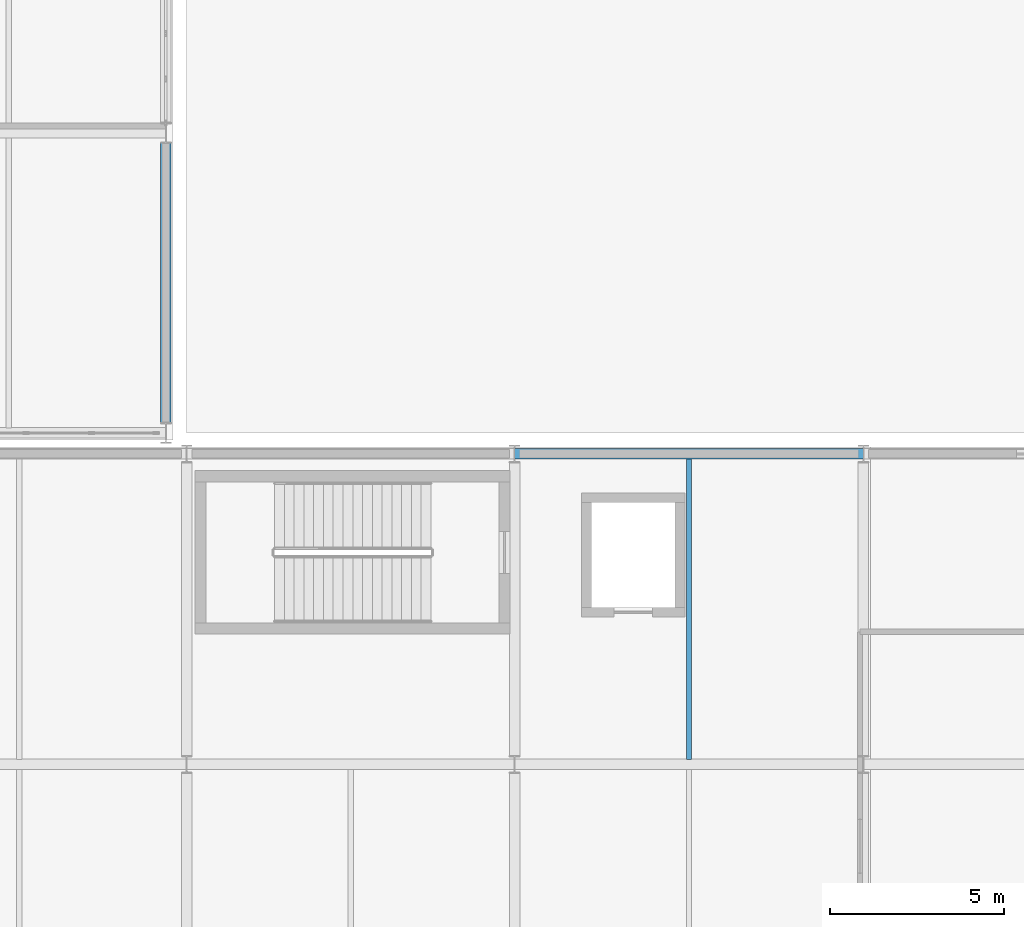
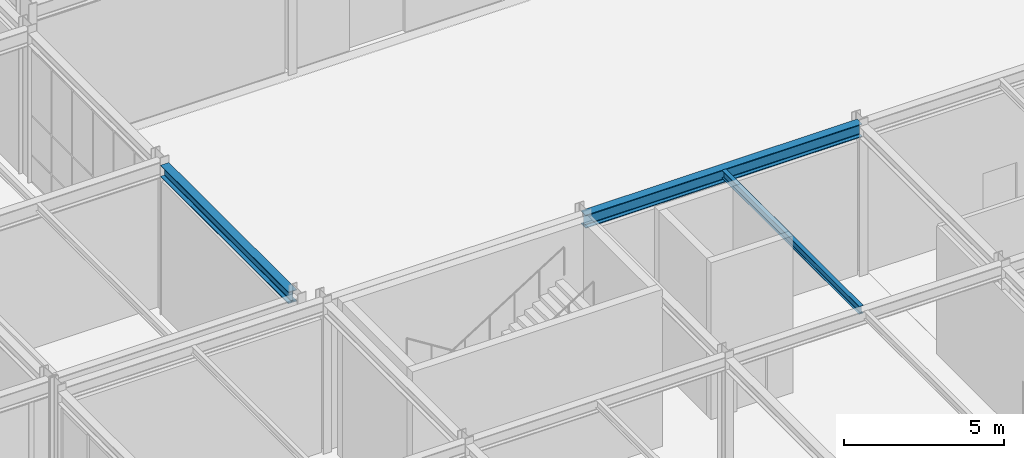
# One storey, part 79 of 146: 3 beams.
"""IFC4 building model written with IfcOpenShell, lengths in metres."""

import ifcopenshell
import ifcopenshell.guid

model = None  # the IFC model being written
_history = None  # IfcOwnerHistory: only IFC2X3 demands one
_inside = {}  # id of a spatial element -> (the spatial element, [elements in it])
_under = {}  # id of a project, library or spatial element -> (it, [spatial elements below it])
_declared = {}  # id of a project -> (the project, [libraries it declares])
_typed = {}  # id of a type object -> (the type object, [elements of that type])
_made_of = {}  # id of a material, layer set ... -> (it, [elements and type objects made of it])


def new_model(schema):
    """Start an empty IFC model of exactly this schema.

    Asked for "IFC4X3", IfcOpenShell would pick the latest addendum, in which some entities
    have other attributes; the version numbers below select the first issue.
    IFC2X3 requires an IfcOwnerHistory on every rooted entity: one is made here for all.
    """
    global model, _history
    if schema == "IFC4X3":
        model = ifcopenshell.file(schema_version=(4, 3, 0, 0))
    else:
        model = ifcopenshell.file(schema=schema)
    _inside.clear()
    _under.clear()
    _declared.clear()
    _typed.clear()
    _made_of.clear()
    _history = None
    if model.schema == "IFC2X3":
        org = make("IfcOrganization", Name="unknown")
        user = make(
            "IfcPersonAndOrganization",
            ThePerson=make("IfcPerson", FamilyName="unknown"),
            TheOrganization=org,
        )
        app = make(
            "IfcApplication",
            ApplicationDeveloper=org,
            Version="unknown",
            ApplicationFullName="unknown",
            ApplicationIdentifier="unknown",
        )
        _history = make(
            "IfcOwnerHistory",
            OwningUser=user,
            OwningApplication=app,
            ChangeAction="ADDED",
            CreationDate=0,
        )
    return model


def make(cls, **values):
    """One entity of the class cls with the attributes given. An attribute that is None is left unset."""
    return model.create_entity(
        cls, **{name: value for name, value in values.items() if value is not None}
    )


def rooted(cls, **values):
    """An entity with a GlobalId (a new one), such as an element, a storey or a relation."""
    return make(cls, GlobalId=ifcopenshell.guid.new(), OwnerHistory=_history, **values)


def si_unit(unit_type, name, prefix=None):
    """IfcSIUnit, for example si_unit("LENGTHUNIT", "METRE", prefix="MILLI")."""
    return make("IfcSIUnit", UnitType=unit_type, Prefix=prefix, Name=name)


def assignment(units):
    """IfcUnitAssignment: the units of a project."""
    return None if units is None else make("IfcUnitAssignment", Units=units)


def point(xyz):
    """IfcCartesianPoint."""
    return None if xyz is None else make("IfcCartesianPoint", Coordinates=xyz)


def direction(xyz):
    """IfcDirection."""
    return None if xyz is None else make("IfcDirection", DirectionRatios=xyz)


def frame(location, z_axis=None, x_axis=None):
    """IfcAxis2Placement3D, a coordinate frame: its origin and axes. An axis left out is left unset."""
    return make(
        "IfcAxis2Placement3D",
        Location=point(location),
        Axis=direction(z_axis),
        RefDirection=direction(x_axis),
    )


def frame_2d(location, x_axis=None):
    """IfcAxis2Placement2D, a coordinate frame in the plane: its origin and x axis."""
    return make(
        "IfcAxis2Placement2D", Location=point(location), RefDirection=direction(x_axis)
    )


def origin():
    """The frame at (0, 0, 0) with its axes left unset."""
    return frame((0.0, 0.0, 0.0))


def origin_2d():
    """The frame at (0, 0) in the plane with its x axis left unset."""
    return frame_2d((0.0, 0.0))


def place(relative_to, where):
    """IfcLocalPlacement: puts the frame where relative to a parent placement (None: the world)."""
    return make(
        "IfcLocalPlacement", PlacementRelTo=relative_to, RelativePlacement=where
    )


def context(
    kind, dimensions, precision=None, world=None, true_north=None, identifier=None
):
    """IfcGeometricRepresentationContext, for example the 3D "Model" context."""
    return make(
        "IfcGeometricRepresentationContext",
        ContextIdentifier=identifier,
        ContextType=kind,
        CoordinateSpaceDimension=dimensions,
        Precision=precision,
        WorldCoordinateSystem=world,
        TrueNorth=true_north,
    )


def subcontext(parent, identifier, kind, view, scale=None):
    """IfcGeometricRepresentationSubContext, for example "Body" below "Model"."""
    return make(
        "IfcGeometricRepresentationSubContext",
        ContextIdentifier=identifier,
        ContextType=kind,
        ParentContext=parent,
        TargetScale=scale,
        TargetView=view,
    )


def project(units=None, contexts=None):
    """IfcProject with its units and contexts."""
    return rooted(
        "IfcProject",
        Name="project",
        RepresentationContexts=contexts,
        UnitsInContext=assignment(units),
    )


def spatial(cls, under=None, at=None, **own):
    """A site, building, storey or space (cls), placed at a placement, below another one or the project."""
    s = rooted(cls, ObjectPlacement=at, **own)
    if under is not None:
        _under.setdefault(under.id(), (under, []))[1].append(s)
    return s


def profile(cls, at=None, kind="AREA", **sizes):
    """A parametric profile (cls). Its sizes go by their IFC names, for example OverallWidth=200.0."""
    return make(cls, ProfileType=kind, Position=at, **sizes)


def i_section(**sizes):
    """IfcIShapeProfileDef."""
    return profile("IfcIShapeProfileDef", **sizes)


def extrude(swept, where, along, depth):
    """IfcExtrudedAreaSolid: the profile swept, set in the frame where, extruded along a direction by depth."""
    return make(
        "IfcExtrudedAreaSolid",
        SweptArea=swept,
        Position=where,
        ExtrudedDirection=direction(along),
        Depth=depth,
    )


def shape(context_of_items, identifier, shape_type, items):
    """IfcShapeRepresentation: the items that make up one representation, for example the "Body"."""
    return make(
        "IfcShapeRepresentation",
        ContextOfItems=context_of_items,
        RepresentationIdentifier=identifier,
        RepresentationType=shape_type,
        Items=items,
    )


def material(Name=None, Category=None):
    """IfcMaterial."""
    return make("IfcMaterial", Name=Name, Category=Category)


def material_profile(
    of_material, cross_section, Name=None, Category=None, Priority=None
):
    """IfcMaterialProfile: a cross section and its material."""
    return make(
        "IfcMaterialProfile",
        Name=Name,
        Material=of_material,
        Profile=cross_section,
        Priority=Priority,
        Category=Category,
    )


def profile_set(profiles, Name=None, composite=None):
    """IfcMaterialProfileSet."""
    return make(
        "IfcMaterialProfileSet",
        Name=Name,
        MaterialProfiles=profiles,
        CompositeProfile=composite,
    )


def made_of(thing, what):
    """Note that an element or type object is made of a material, layer set ...; save() writes the relation."""
    if what is not None:
        _made_of.setdefault(what.id(), (what, []))[1].append(thing)
    return thing


def type_object(cls, material=None, **own):
    """A type object (cls), such as IfcWallType, which elements share."""
    return made_of(rooted(cls, **own), material)


def element(
    cls,
    number,
    at=None,
    inside=None,
    cuts=None,
    type_object=None,
    material=None,
    context=None,
    identifier="Body",
    shape_type=None,
    held_by="IfcProductDefinitionShape",
    body=None,
    shapes=None,
    **own,
):
    """One element of the class cls, such as IfcWall. Its Tag is "e" and its number.

    at: its placement. inside: the storey or other place that contains it. cuts: it is an
    opening in that element (IfcRelVoidsElement). A single representation is given by context,
    identifier, shape_type and body (its items); several are given by shapes. held_by: the class
    of the entity that holds the representations. save() writes the other relations.
    """
    e = rooted(cls, Tag="e%d" % number, ObjectPlacement=at, **own)
    if body is not None:
        shapes = [shape(context, identifier, shape_type, body)]
    if shapes is not None:
        e.Representation = make(held_by, Representations=shapes)
    if inside is not None:
        _inside.setdefault(inside.id(), (inside, []))[1].append(e)
    if cuts is not None:
        rooted(
            "IfcRelVoidsElement", RelatingBuildingElement=cuts, RelatedOpeningElement=e
        )
    if type_object is not None:
        _typed.setdefault(type_object.id(), (type_object, []))[1].append(e)
    return made_of(e, material)


def aggregate(whole, parts):
    """IfcRelAggregates: a whole, such as a stair, and the parts it consists of."""
    return rooted("IfcRelAggregates", RelatingObject=whole, RelatedObjects=parts)


def save(model, path):
    """Write the relations noted so far, then the file.

    IfcRelAggregates (storeys below a building ...), IfcRelContainedInSpatialStructure (elements
    in a storey), IfcRelDefinesByType, IfcRelAssociatesMaterial and IfcRelDeclares: one each for
    every whole, place, type object, material and project.
    """
    for whole, parts in _under.values():
        aggregate(whole, parts)
    for where, things in _inside.values():
        rooted(
            "IfcRelContainedInSpatialStructure",
            RelatedElements=things,
            RelatingStructure=where,
        )
    for kind, things in _typed.values():
        rooted("IfcRelDefinesByType", RelatedObjects=things, RelatingType=kind)
    for what, things in _made_of.values():
        rooted("IfcRelAssociatesMaterial", RelatedObjects=things, RelatingMaterial=what)
    for by, libraries in _declared.values():
        rooted("IfcRelDeclares", RelatingContext=by, RelatedDefinitions=libraries)
    model.write(path)


model = new_model("IFC4")

# Units and contexts
model_context = context("Model", 3, precision=1e-05, world=origin(), true_north=direction((0.0, 1.0)))
body_context = subcontext(model_context, "Body", "Model", "MODEL_VIEW")
ifc_project = project(units=[si_unit("LENGTHUNIT", "METRE"), si_unit("AREAUNIT", "SQUARE_METRE"), si_unit("VOLUMEUNIT", "CUBIC_METRE"), si_unit("PLANEANGLEUNIT", "RADIAN"), si_unit("MASSUNIT", "GRAM", prefix="KILO")], contexts=[model_context])

# Site, building, storey
site_placement = place(None, origin())
site = spatial("IfcSite", under=ifc_project, at=site_placement, CompositionType="ELEMENT")
building_placement = place(site_placement, origin())
building = spatial("IfcBuilding", under=site, at=building_placement, Name="Kaldris Quays Convention Centre", CompositionType="ELEMENT")
storey_placement = place(building_placement, origin())
storey = spatial("IfcBuildingStorey", under=building, at=storey_placement, Name="L00", CompositionType="ELEMENT", Elevation=0.0)

# Beams
ifc_material = material(Name="Steel S355J2", Category="steel")
ifc_material_profile_1 = material_profile(ifc_material, i_section(OverallWidth=0.300048828125, OverallDepth=0.5, WebThickness=0.014404296875, FlangeThickness=0.028076171875, FilletRadius=0.027099609375, at=origin_2d()), Name="HEB 500")
ifc_profile_set_1 = profile_set([ifc_material_profile_1], Name="Steel S355J2")
beam_type_1 = type_object("IfcBeamType", Name="STRUCTURAL BEAM BM06", PredefinedType="BEAM", material=ifc_profile_set_1)
beam_1_placement = place(storey_placement, frame((174.001220703125, 37.39990234375, 5.492919921875), z_axis=(1.0, 0.0, 0.0), x_axis=(0.0, 1.0, 0.0)))
element("IfcBeam", 1, at=beam_1_placement, inside=storey, type_object=beam_type_1, Name="L00 Girder BM06 18", PredefinedType="BEAM", context=body_context, shape_type="SweptSolid", body=[
    extrude(i_section(OverallWidth=0.300048828125, OverallDepth=0.5, WebThickness=0.014404296875, FlangeThickness=0.028076171875, FilletRadius=0.027099609375, at=origin_2d()), origin(), (0.0, 0.0, 1.0), 9.99755859375),
])
ifc_material_profile_2 = material_profile(ifc_material, i_section(OverallWidth=0.300048828125, OverallDepth=0.449951171875, WebThickness=0.013916015625, FlangeThickness=0.02587890625, FilletRadius=0.027099609375, at=origin_2d()), Name="HEB 450")
ifc_profile_set_2 = profile_set([ifc_material_profile_2], Name="Steel S355J2")
beam_type_2 = type_object("IfcBeamType", Name="STRUCTURAL BEAM BM07", PredefinedType="BEAM", material=ifc_profile_set_2)
beam_2_placement = place(storey_placement, frame((164.0, 38.2939453125, 5.498046875), z_axis=(0.0, 1.0, 0.0), x_axis=(-1.0, 0.0, 0.0)))
element("IfcBeam", 2, at=beam_2_placement, inside=storey, type_object=beam_type_2, Name="L00 Girder BM07 90", PredefinedType="BEAM", context=body_context, shape_type="SweptSolid", body=[
    extrude(i_section(OverallWidth=0.300048828125, OverallDepth=0.449951171875, WebThickness=0.013916015625, FlangeThickness=0.02587890625, FilletRadius=0.027099609375, at=origin_2d()), origin(), (0.0, 0.0, 1.0), 8.011962890625),
])
ifc_material_profile_3 = material_profile(ifc_material, i_section(OverallWidth=0.14990234375, OverallDepth=0.300048828125, WebThickness=0.007080078125, FlangeThickness=0.0107421875, FilletRadius=0.014892578125, at=origin_2d()), Name="IPE 300")
ifc_profile_set_3 = profile_set([ifc_material_profile_3], Name="Steel S355J2")
beam_type_3 = type_object("IfcBeamType", Name="STRUCTURAL BEAM JT04", PredefinedType="JOIST", material=ifc_profile_set_3)
beam_3_placement = place(storey_placement, frame((179.0, 28.64404296875, 5.593017578125), z_axis=(0.0, 1.0, 0.0), x_axis=(-1.0, 0.0, 0.0)))
element("IfcBeam", 3, at=beam_3_placement, inside=storey, type_object=beam_type_3, Name="L00 Secondary Joist JT04 11", PredefinedType="JOIST", context=body_context, shape_type="SweptSolid", body=[
    extrude(i_section(OverallWidth=0.14990234375, OverallDepth=0.300048828125, WebThickness=0.007080078125, FlangeThickness=0.0107421875, FilletRadius=0.014892578125, at=origin_2d()), origin(), (0.0, 0.0, 1.0), 8.612060546875),
])

save(model, "model.ifc")
